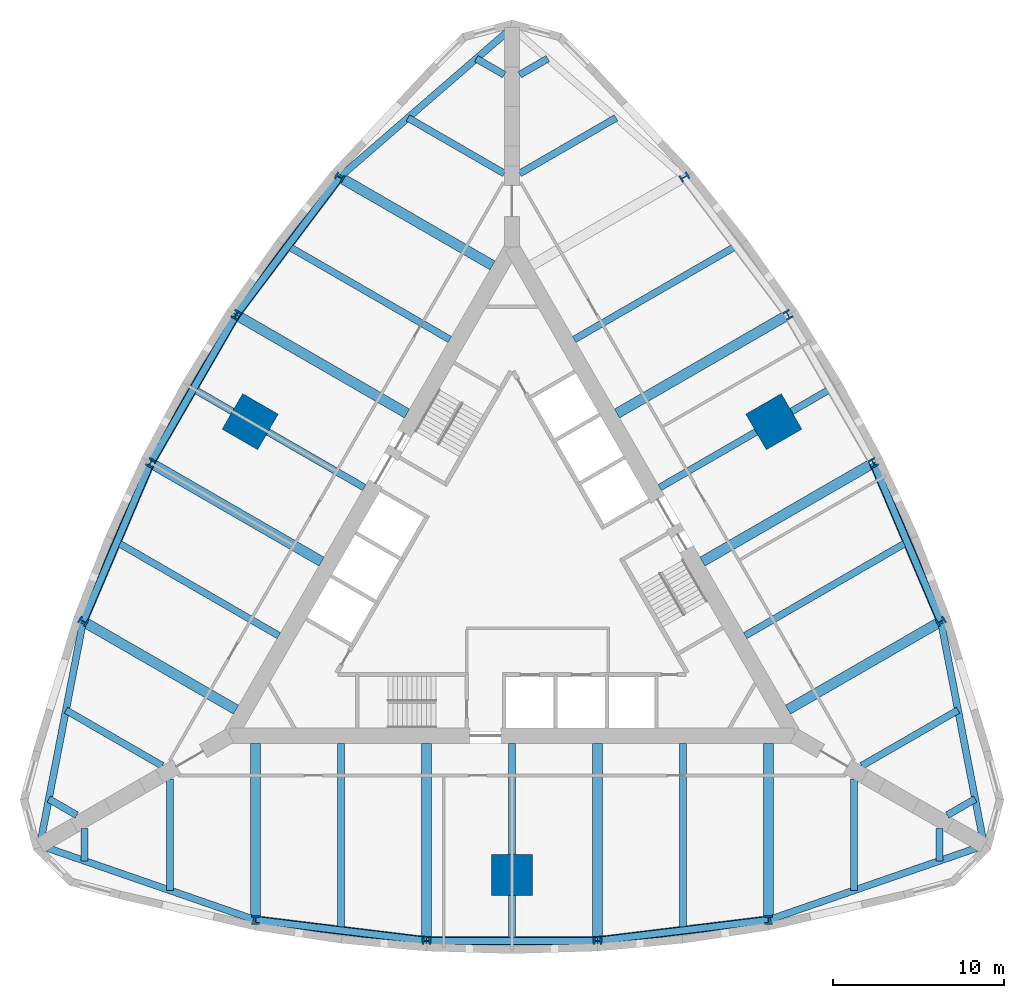
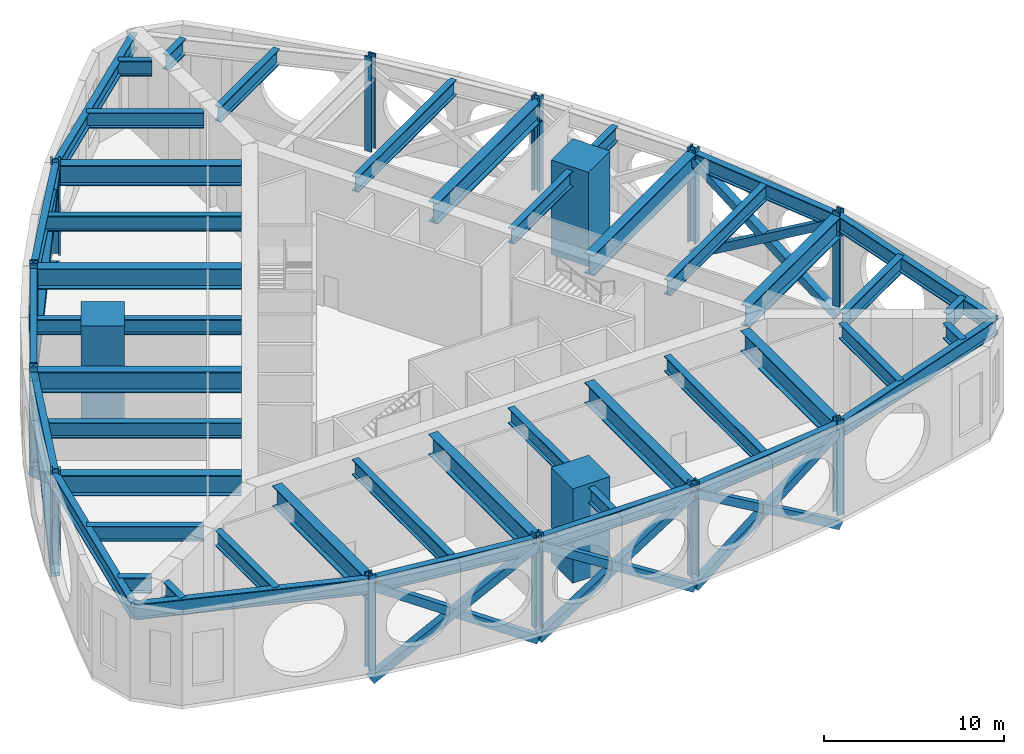
# One storey, part 1 of 7: 44 beams, 15 columns, 14 members.
"""IFC4 building model written with IfcOpenShell, lengths in metres."""

from ifc_helpers import new_model, si_unit, direction, frame, origin, origin_2d, place, context, subcontext, project, spatial, rectangle, hollow_rectangle, i_section, extrude, material, material_profile, profile_set, type_object, element, save


model = new_model("IFC4")

# Units and contexts
model_context = context("Model", 3, precision=1e-05, world=origin(), true_north=direction((0.0, 1.0)))
body_context = subcontext(model_context, "Body", "Model", "MODEL_VIEW")
ifc_project = project(units=[si_unit("LENGTHUNIT", "METRE"), si_unit("AREAUNIT", "SQUARE_METRE"), si_unit("VOLUMEUNIT", "CUBIC_METRE"), si_unit("PLANEANGLEUNIT", "RADIAN"), si_unit("MASSUNIT", "GRAM", prefix="KILO")], contexts=[model_context])

# Site, building, storey
site_placement = place(None, origin())
site = spatial("IfcSite", under=ifc_project, at=site_placement, CompositionType="ELEMENT")
building_placement = place(site_placement, origin())
building = spatial("IfcBuilding", under=site, at=building_placement, Name="Trikona Tower", CompositionType="ELEMENT")
storey_placement = place(building_placement, frame((0.0, 0.0, 103.300048828125)))
storey = spatial("IfcBuildingStorey", under=building, at=storey_placement, Name="L27", CompositionType="ELEMENT", Elevation=103.300048828125)

# Columns
ifc_material_1 = material(Name="Concrete f'c 10000 psi with encased steel section", Category="concrete")
ifc_material_profile_1 = material_profile(ifc_material_1, rectangle(XDim=2.39990234375, YDim=2.39990234375, at=origin_2d()), Name="MC2400")
ifc_profile_set_1 = profile_set([ifc_material_profile_1], Name="Concrete f'c 10000 psi with encased steel section")
column_type_1 = type_object("IfcColumnType", Name="Composite mega column 2400x2400", PredefinedType="COLUMN", material=ifc_profile_set_1)
for number, where, z_axis, x_axis, name in (
    (1, (0.0, -17.680419921875, 0.0), (0.0, 0.0, 1.0), (0.0, -1.0, 0.0), "Mega column MC1"),
    (2, (15.311767578125, 8.84033203125, 0.0), (0.0, 0.0, 1.0), (0.866025403784, 0.5, 0.0), "Mega column MC2"),
    (3, (-15.311767578125, 8.84033203125, 0.0), (0.0, 0.0, 1.0), (-0.866025403784, 0.5, 0.0), "Mega column MC3"),
):
    element("IfcColumn", number, at=place(storey_placement, frame(where, z_axis=z_axis, x_axis=x_axis)), inside=storey, type_object=column_type_1, Name=name, PredefinedType="COLUMN", context=body_context, shape_type="SweptSolid", body=[
        extrude(rectangle(XDim=2.39990234375, YDim=2.39990234375, at=origin_2d()), origin(), (0.0, 0.0, 1.0), 6.39990234375),
    ])
ifc_material_2 = material(Name="Steel ASTM A992 Grade 50", Category="steel")
ifc_material_profile_2 = material_profile(ifc_material_2, i_section(OverallWidth=0.44189453125, OverallDepth=0.53076171875, WebThickness=0.06591796875, FlangeThickness=0.105712890625, at=origin_2d()), Name="W14X605")
ifc_profile_set_2 = profile_set([ifc_material_profile_2], Name="Steel ASTM A992 Grade 50")
column_type_2 = type_object("IfcColumnType", Name="Steel column W14x605", PredefinedType="COLUMN", material=ifc_profile_set_2)
for number, where, z_axis, x_axis, name in (
    (4, (-15.0, -20.302978515625, 0.0), (0.0, 0.0, 1.0), (1.0, 0.0, 0.0), "Column F0m15"),
    (5, (-5.0, -21.5205078125, 0.0), (0.0, 0.0, 1.0), (0.0, -1.0, 0.0), "Column F0m5"),
    (6, (5.0, -21.5205078125, 0.0), (0.0, 0.0, 1.0), (0.0, -1.0, 0.0), "Column F0p5"),
    (7, (15.0, -20.302978515625, 0.0), (0.0, 0.0, 1.0), (1.0, 0.0, 0.0), "Column F0p15"),
    (8, (25.0830078125, -2.8388671875, 0.0), (0.0, 0.0, 1.0), (-0.5, 0.866025403784, 0.0), "Column F1m15"),
    (9, (21.13720703125, 6.43017578125, 0.0), (0.0, 0.0, 1.0), (0.866025403784, 0.5, 0.0), "Column F1m5"),
    (10, (16.13720703125, 15.09033203125, 0.0), (0.0, 0.0, 1.0), (0.866025403784, 0.5, 0.0), "Column F1p5"),
    (11, (10.0830078125, 23.141845703125, 0.0), (0.0, 0.0, 1.0), (-0.5, 0.866025403784, 0.0), "Column F1p15"),
    (12, (-10.0830078125, 23.141845703125, 0.0), (0.0, 0.0, 1.0), (-0.5, -0.866025403784, 0.0), "Column F2m15"),
    (13, (-16.13720703125, 15.09033203125, 0.0), (0.0, 0.0, 1.0), (-0.866025403784, 0.5, 0.0), "Column F2m5"),
    (14, (-21.13720703125, 6.43017578125, 0.0), (0.0, 0.0, 1.0), (-0.866025403784, 0.5, 0.0), "Column F2p5"),
    (15, (-25.0830078125, -2.8388671875, 0.0), (0.0, 0.0, 1.0), (-0.5, -0.866025403784, 0.0), "Column F2p15"),
):
    element("IfcColumn", number, at=place(storey_placement, frame(where, z_axis=z_axis, x_axis=x_axis)), inside=storey, type_object=column_type_2, Name=name, PredefinedType="COLUMN", context=body_context, shape_type="SweptSolid", body=[
        extrude(i_section(OverallWidth=0.44189453125, OverallDepth=0.53076171875, WebThickness=0.06591796875, FlangeThickness=0.105712890625, at=origin_2d()), origin(), (0.0, 0.0, 1.0), 6.39990234375),
    ])

# Members
ifc_material_3 = material(Name="Steel ASTM A500 Grade C", Category="steel")
ifc_material_profile_3 = material_profile(ifc_material_3, hollow_rectangle(XDim=0.508056640625, YDim=0.508056640625, WallThickness=0.0146484375, at=origin_2d()), Name="HSS20X20X5/8")
ifc_profile_set_3 = profile_set([ifc_material_profile_3], Name="Steel ASTM A500 Grade C")
member_type = type_object("IfcMemberType", Name="Belt truss diagonal HSS20x20x5/8", PredefinedType="BRACE", material=ifc_profile_set_3)
for number, where, z_axis, x_axis, name in (
    (16, (-15.0, -20.302978515625, -0.770751953125), (0.837880915382, -0.102014456177, 0.536235603414), (0.120860421207, 0.99266951126, 0.0), "Belt truss diagonal L27 F1-2a"),
    (17, (-5.0, -21.5205078125, -0.770751953125), (-0.837880915382, 0.102014456177, 0.536235603414), (-0.120860421207, -0.99266951126, 0.0), "Belt truss diagonal L27 F1-2b"),
):
    element("IfcMember", number, at=place(storey_placement, frame(where, z_axis=z_axis, x_axis=x_axis)), inside=storey, type_object=member_type, Name=name, PredefinedType="BRACE", context=body_context, shape_type="SweptSolid", body=[
        extrude(hollow_rectangle(XDim=0.508056640625, YDim=0.508056640625, WallThickness=0.0146484375, at=origin_2d()), origin(), (0.0, 0.0, 1.0), 11.934814453125),
    ])
for number, where, z_axis, x_axis, name in (
    (18, (-5.0, -21.5205078125, -0.770751953125), (0.84227513519, 0.0, 0.539047861178), (0.0, 1.0, 0.0), "Belt truss diagonal L27 F1-3a"),
    (19, (5.0, -21.5205078125, -0.770751953125), (-0.84227513519, 0.0, 0.539047861178), (0.0, -1.0, 0.0), "Belt truss diagonal L27 F1-3b"),
):
    element("IfcMember", number, at=place(storey_placement, frame(where, z_axis=z_axis, x_axis=x_axis)), inside=storey, type_object=member_type, Name=name, PredefinedType="BRACE", context=body_context, shape_type="SweptSolid", body=[
        extrude(hollow_rectangle(XDim=0.508056640625, YDim=0.508056640625, WallThickness=0.0146484375, at=origin_2d()), origin(), (0.0, 0.0, 1.0), 11.87255859375),
    ])
for number, where, z_axis, x_axis, name in (
    (20, (5.0, -21.5205078125, -0.770751953125), (0.837880915382, 0.102014456177, 0.536235603414), (-0.120860421207, 0.99266951126, 0.0), "Belt truss diagonal L27 F1-4a"),
    (21, (15.0, -20.302978515625, -0.770751953125), (-0.837880915382, -0.102014456177, 0.536235603414), (0.120860421207, -0.99266951126, 0.0), "Belt truss diagonal L27 F1-4b"),
):
    element("IfcMember", number, at=place(storey_placement, frame(where, z_axis=z_axis, x_axis=x_axis)), inside=storey, type_object=member_type, Name=name, PredefinedType="BRACE", context=body_context, shape_type="SweptSolid", body=[
        extrude(hollow_rectangle(XDim=0.508056640625, YDim=0.508056640625, WallThickness=0.0146484375, at=origin_2d()), origin(), (0.0, 0.0, 1.0), 11.934814453125),
    ])
for number, where, z_axis, x_axis, name in (
    (22, (25.0830078125, -2.8388671875, -0.770751953125), (-0.330608652401, 0.776629631051, 0.536231605868), (-0.920100007715, -0.391683514847, 0.0), "Belt truss diagonal L27 F2-2a"),
    (23, (21.13720703125, 6.43017578125, -0.770751953125), (0.330608652401, -0.776629631051, 0.536231605868), (0.920100007715, 0.391683514847, 0.0), "Belt truss diagonal L27 F2-2b"),
):
    element("IfcMember", number, at=place(storey_placement, frame(where, z_axis=z_axis, x_axis=x_axis)), inside=storey, type_object=member_type, Name=name, PredefinedType="BRACE", context=body_context, shape_type="SweptSolid", body=[
        extrude(hollow_rectangle(XDim=0.508056640625, YDim=0.508056640625, WallThickness=0.0146484375, at=origin_2d()), origin(), (0.0, 0.0, 1.0), 11.93505859375),
    ])
for number, where, z_axis, x_axis, name in (
    (24, (-10.0830078125, 23.141845703125, -0.770751953125), (-0.507273674807, -0.674626119907, 0.536239701241), (0.799257787042, -0.600988344191, 0.0), "Belt truss diagonal L27 F3-2a"),
    (25, (-16.13720703125, 15.09033203125, -0.770751953125), (0.507273674807, 0.674626119907, 0.536239701241), (-0.799257787042, 0.600988344191, 0.0), "Belt truss diagonal L27 F3-2b"),
):
    element("IfcMember", number, at=place(storey_placement, frame(where, z_axis=z_axis, x_axis=x_axis)), inside=storey, type_object=member_type, Name=name, PredefinedType="BRACE", context=body_context, shape_type="SweptSolid", body=[
        extrude(hollow_rectangle(XDim=0.508056640625, YDim=0.508056640625, WallThickness=0.0146484375, at=origin_2d()), origin(), (0.0, 0.0, 1.0), 11.934814453125),
    ])
for number, where, z_axis, x_axis, name in (
    (26, (-16.13720703125, 15.09033203125, -0.770751953125), (-0.42114009776, -0.729427809949, 0.539051099741), (0.866022959057, -0.500004234368, 0.0), "Belt truss diagonal L27 F3-3a"),
    (27, (-21.13720703125, 6.43017578125, -0.770751953125), (0.42114009776, 0.729427809949, 0.539051099741), (-0.866022959057, 0.500004234368, 0.0), "Belt truss diagonal L27 F3-3b"),
):
    element("IfcMember", number, at=place(storey_placement, frame(where, z_axis=z_axis, x_axis=x_axis)), inside=storey, type_object=member_type, Name=name, PredefinedType="BRACE", context=body_context, shape_type="SweptSolid", body=[
        extrude(hollow_rectangle(XDim=0.508056640625, YDim=0.508056640625, WallThickness=0.0146484375, at=origin_2d()), origin(), (0.0, 0.0, 1.0), 11.87255859375),
    ])
for number, where, z_axis, x_axis, name in (
    (28, (-21.13720703125, 6.43017578125, -0.770751953125), (-0.330608652401, -0.776629631051, 0.536231605868), (0.920100007715, -0.391683514847, 0.0), "Belt truss diagonal L27 F3-4a"),
    (29, (-25.0830078125, -2.8388671875, -0.770751953125), (0.330608652401, 0.776629631051, 0.536231605868), (-0.920100007715, 0.391683514847, 0.0), "Belt truss diagonal L27 F3-4b"),
):
    element("IfcMember", number, at=place(storey_placement, frame(where, z_axis=z_axis, x_axis=x_axis)), inside=storey, type_object=member_type, Name=name, PredefinedType="BRACE", context=body_context, shape_type="SweptSolid", body=[
        extrude(hollow_rectangle(XDim=0.508056640625, YDim=0.508056640625, WallThickness=0.0146484375, at=origin_2d()), origin(), (0.0, 0.0, 1.0), 11.93505859375),
    ])

# Beams
ifc_material_4 = material(Name="Steel ASTM A992 Grade 50", Category="steel")
ifc_material_profile_4 = material_profile(ifc_material_4, i_section(OverallWidth=0.60009765625, OverallDepth=1.39990234375, WebThickness=0.044921875, FlangeThickness=0.06005859375, at=origin_2d()), Name="PG1400X600")
ifc_profile_set_4 = profile_set([ifc_material_profile_4], Name="Steel ASTM A992 Grade 50")
beam_type_1 = type_object("IfcBeamType", Name="Steel beam PG1400x600 (transfer)", PredefinedType="USERDEFINED", material=ifc_profile_set_4)
beam_1_placement = place(storey_placement, frame((-15.0, -9.976318359375, 5.449951171875), z_axis=(0.0, -1.0, 0.0), x_axis=(1.0, 0.0, 0.0)))
element("IfcBeam", 30, at=beam_1_placement, inside=storey, type_object=beam_type_1, Name="Transfer girder L28 F1 u-15", ObjectType="TRANSFER GIRDER", PredefinedType="USERDEFINED", context=body_context, shape_type="SweptSolid", body=[
    extrude(i_section(OverallWidth=0.60009765625, OverallDepth=1.39990234375, WebThickness=0.044921875, FlangeThickness=0.06005859375, at=origin_2d()), origin(), (0.0, 0.0, 1.0), 10.32666015625),
])
for number, where, z_axis, x_axis, name in (
    (31, (-5.0, -9.976318359375, 5.449951171875), (0.0, -1.0, 0.0), (1.0, 0.0, 0.0), "Transfer girder L28 F1 u-5"),
    (32, (5.0, -9.976318359375, 5.449951171875), (0.0, -1.0, 0.0), (1.0, 0.0, 0.0), "Transfer girder L28 F1 u5"),
):
    element("IfcBeam", number, at=place(storey_placement, frame(where, z_axis=z_axis, x_axis=x_axis)), inside=storey, type_object=beam_type_1, Name=name, ObjectType="TRANSFER GIRDER", PredefinedType="USERDEFINED", context=body_context, shape_type="SweptSolid", body=[
        extrude(i_section(OverallWidth=0.60009765625, OverallDepth=1.39990234375, WebThickness=0.044921875, FlangeThickness=0.06005859375, at=origin_2d()), origin(), (0.0, 0.0, 1.0), 11.544189453125),
    ])
beam_2_placement = place(storey_placement, frame((15.0, -9.976318359375, 5.449951171875), z_axis=(0.0, -1.0, 0.0), x_axis=(1.0, 0.0, 0.0)))
element("IfcBeam", 33, at=beam_2_placement, inside=storey, type_object=beam_type_1, Name="Transfer girder L28 F1 u15", ObjectType="TRANSFER GIRDER", PredefinedType="USERDEFINED", context=body_context, shape_type="SweptSolid", body=[
    extrude(i_section(OverallWidth=0.60009765625, OverallDepth=1.39990234375, WebThickness=0.044921875, FlangeThickness=0.06005859375, at=origin_2d()), origin(), (0.0, 0.0, 1.0), 10.32666015625),
])
beam_3_placement = place(storey_placement, frame((16.1396484375, -8.002197265625, 5.449951171875), z_axis=(0.866030471684, 0.499991222037, 0.0), x_axis=(-0.499991222037, 0.866030471684, 0.0)))
element("IfcBeam", 34, at=beam_3_placement, inside=storey, type_object=beam_type_1, Name="Transfer girder L28 F2 u-15", ObjectType="TRANSFER GIRDER", PredefinedType="USERDEFINED", context=body_context, shape_type="SweptSolid", body=[
    extrude(i_section(OverallWidth=0.60009765625, OverallDepth=1.39990234375, WebThickness=0.044921875, FlangeThickness=0.06005859375, at=origin_2d()), origin(), (0.0, 0.0, 1.0), 10.326904296875),
])
for number, where, z_axis, x_axis, name in (
    (35, (11.1396484375, 0.657958984375, 5.449951171875), (0.866020765707, 0.500008033299, 0.0), (-0.500008033299, 0.866020765707, 0.0), "Transfer girder L28 F2 u-5"),
    (36, (6.1396484375, 9.318359375, 5.449951171875), (0.866029923217, 0.499992172032, 0.0), (-0.499992172032, 0.866029923217, 0.0), "Transfer girder L28 F2 u5"),
):
    element("IfcBeam", number, at=place(storey_placement, frame(where, z_axis=z_axis, x_axis=x_axis)), inside=storey, type_object=beam_type_1, Name=name, ObjectType="TRANSFER GIRDER", PredefinedType="USERDEFINED", context=body_context, shape_type="SweptSolid", body=[
        extrude(i_section(OverallWidth=0.60009765625, OverallDepth=1.39990234375, WebThickness=0.044921875, FlangeThickness=0.06005859375, at=origin_2d()), origin(), (0.0, 0.0, 1.0), 11.544189453125),
    ])
beam_4_placement = place(storey_placement, frame((-1.1396484375, 17.978515625, 5.449951171875), z_axis=(-0.866030471684, 0.499991222037, 0.0), x_axis=(-0.499991222037, -0.866030471684, 0.0)))
element("IfcBeam", 37, at=beam_4_placement, inside=storey, type_object=beam_type_1, Name="Transfer girder L28 F3 u-15", ObjectType="TRANSFER GIRDER", PredefinedType="USERDEFINED", context=body_context, shape_type="SweptSolid", body=[
    extrude(i_section(OverallWidth=0.60009765625, OverallDepth=1.39990234375, WebThickness=0.044921875, FlangeThickness=0.06005859375, at=origin_2d()), origin(), (0.0, 0.0, 1.0), 10.326904296875),
])
for number, where, z_axis, x_axis, name in (
    (38, (-6.1396484375, 9.318359375, 5.449951171875), (-0.866029923217, 0.499992172032, 0.0), (-0.499992172032, -0.866029923217, 0.0), "Transfer girder L28 F3 u-5"),
    (39, (-11.1396484375, 0.657958984375, 5.449951171875), (-0.866020765707, 0.500008033299, 0.0), (-0.500008033299, -0.866020765707, 0.0), "Transfer girder L28 F3 u5"),
):
    element("IfcBeam", number, at=place(storey_placement, frame(where, z_axis=z_axis, x_axis=x_axis)), inside=storey, type_object=beam_type_1, Name=name, ObjectType="TRANSFER GIRDER", PredefinedType="USERDEFINED", context=body_context, shape_type="SweptSolid", body=[
        extrude(i_section(OverallWidth=0.60009765625, OverallDepth=1.39990234375, WebThickness=0.044921875, FlangeThickness=0.06005859375, at=origin_2d()), origin(), (0.0, 0.0, 1.0), 11.544189453125),
    ])
beam_5_placement = place(storey_placement, frame((-16.1396484375, -8.002197265625, 5.449951171875), z_axis=(-0.866030471684, 0.499991222037, 0.0), x_axis=(-0.499991222037, -0.866030471684, 0.0)))
element("IfcBeam", 40, at=beam_5_placement, inside=storey, type_object=beam_type_1, Name="Transfer girder L28 F3 u15", ObjectType="TRANSFER GIRDER", PredefinedType="USERDEFINED", context=body_context, shape_type="SweptSolid", body=[
    extrude(i_section(OverallWidth=0.60009765625, OverallDepth=1.39990234375, WebThickness=0.044921875, FlangeThickness=0.06005859375, at=origin_2d()), origin(), (0.0, 0.0, 1.0), 10.326904296875),
])
ifc_material_5 = material(Name="Steel ASTM A992 Grade 50", Category="steel")
ifc_material_profile_5 = material_profile(ifc_material_5, i_section(OverallWidth=0.408935546875, OverallDepth=1.04150390625, WebThickness=0.031005859375, FlangeThickness=0.055908203125, at=origin_2d()), Name="W40X397")
ifc_profile_set_5 = profile_set([ifc_material_profile_5], Name="Steel ASTM A992 Grade 50")
beam_type_2 = type_object("IfcBeamType", Name="Steel beam W40x397 (plant spandrel)", PredefinedType="SPANDREL", material=ifc_profile_set_5)
beam_6_placement = place(storey_placement, frame((-27.6103515625, -15.94091796875, 5.629150390625), z_axis=(0.945056965739, -0.326905692071, 0.0), x_axis=(0.326905692071, 0.945056965739, 0.0)))
element("IfcBeam", 41, at=beam_6_placement, inside=storey, type_object=beam_type_2, Name="Spandrel beam L28 F1-1", PredefinedType="SPANDREL", context=body_context, shape_type="SweptSolid", body=[
    extrude(i_section(OverallWidth=0.408935546875, OverallDepth=1.04150390625, WebThickness=0.031005859375, FlangeThickness=0.055908203125, at=origin_2d()), origin(), (0.0, 0.0, 1.0), 13.343505859375),
])
beam_7_placement = place(storey_placement, frame((-15.0, -20.302978515625, 5.629150390625), z_axis=(0.99266951126, -0.120860421207, 0.0), x_axis=(0.120860421207, 0.99266951126, 0.0)))
element("IfcBeam", 42, at=beam_7_placement, inside=storey, type_object=beam_type_2, Name="Spandrel beam L28 F1-2", PredefinedType="SPANDREL", context=body_context, shape_type="SweptSolid", body=[
    extrude(i_section(OverallWidth=0.408935546875, OverallDepth=1.04150390625, WebThickness=0.031005859375, FlangeThickness=0.055908203125, at=origin_2d()), origin(), (0.0, 0.0, 1.0), 10.07373046875),
])
beam_8_placement = place(storey_placement, frame((-5.0, -21.5205078125, 5.629150390625), z_axis=(1.0, 0.0, 0.0), x_axis=(0.0, 1.0, 0.0)))
element("IfcBeam", 43, at=beam_8_placement, inside=storey, type_object=beam_type_2, Name="Spandrel beam L28 F1-3", PredefinedType="SPANDREL", context=body_context, shape_type="SweptSolid", body=[
    extrude(i_section(OverallWidth=0.408935546875, OverallDepth=1.04150390625, WebThickness=0.031005859375, FlangeThickness=0.055908203125, at=origin_2d()), origin(), (0.0, 0.0, 1.0), 10.0),
])
beam_9_placement = place(storey_placement, frame((5.0, -21.5205078125, 5.629150390625), z_axis=(0.99266951126, 0.120860421207, 0.0), x_axis=(-0.120860421207, 0.99266951126, 0.0)))
element("IfcBeam", 44, at=beam_9_placement, inside=storey, type_object=beam_type_2, Name="Spandrel beam L28 F1-4", PredefinedType="SPANDREL", context=body_context, shape_type="SweptSolid", body=[
    extrude(i_section(OverallWidth=0.408935546875, OverallDepth=1.04150390625, WebThickness=0.031005859375, FlangeThickness=0.055908203125, at=origin_2d()), origin(), (0.0, 0.0, 1.0), 10.07373046875),
])
for number, where, z_axis, x_axis, name in (
    (45, (15.0, -20.302978515625, 5.629150390625), (0.945056965739, 0.326905692071, 0.0), (-0.326905692071, 0.945056965739, 0.0), "Spandrel beam L28 F1-5"),
    (46, (27.6103515625, -15.94091796875, 5.629150390625), (-0.189405184036, 0.981899015307, 0.0), (-0.981899015307, -0.189405184036, 0.0), "Spandrel beam L28 F2-1"),
):
    element("IfcBeam", number, at=place(storey_placement, frame(where, z_axis=z_axis, x_axis=x_axis)), inside=storey, type_object=beam_type_2, Name=name, PredefinedType="SPANDREL", context=body_context, shape_type="SweptSolid", body=[
        extrude(i_section(OverallWidth=0.408935546875, OverallDepth=1.04150390625, WebThickness=0.031005859375, FlangeThickness=0.055908203125, at=origin_2d()), origin(), (0.0, 0.0, 1.0), 13.343505859375),
    ])
beam_10_placement = place(storey_placement, frame((25.0830078125, -2.8388671875, 5.629150390625), z_axis=(-0.391683514847, 0.920100007715, 0.0), x_axis=(-0.920100007715, -0.391683514847, 0.0)))
element("IfcBeam", 47, at=beam_10_placement, inside=storey, type_object=beam_type_2, Name="Spandrel beam L28 F2-2", PredefinedType="SPANDREL", context=body_context, shape_type="SweptSolid", body=[
    extrude(i_section(OverallWidth=0.408935546875, OverallDepth=1.04150390625, WebThickness=0.031005859375, FlangeThickness=0.055908203125, at=origin_2d()), origin(), (0.0, 0.0, 1.0), 10.073974609375),
])
beam_11_placement = place(storey_placement, frame((0.0, 31.881591796875, 5.629150390625), z_axis=(-0.755646822726, -0.654979296851, 0.0), x_axis=(0.654979296851, -0.755646822726, 0.0)))
element("IfcBeam", 48, at=beam_11_placement, inside=storey, type_object=beam_type_2, Name="Spandrel beam L28 F3-1", PredefinedType="SPANDREL", context=body_context, shape_type="SweptSolid", body=[
    extrude(i_section(OverallWidth=0.408935546875, OverallDepth=1.04150390625, WebThickness=0.031005859375, FlangeThickness=0.055908203125, at=origin_2d()), origin(), (0.0, 0.0, 1.0), 13.343505859375),
])
beam_12_placement = place(storey_placement, frame((-10.0830078125, 23.141845703125, 5.629150390625), z_axis=(-0.600988344191, -0.799257787042, 0.0), x_axis=(0.799257787042, -0.600988344191, 0.0)))
element("IfcBeam", 49, at=beam_12_placement, inside=storey, type_object=beam_type_2, Name="Spandrel beam L28 F3-2", PredefinedType="SPANDREL", context=body_context, shape_type="SweptSolid", body=[
    extrude(i_section(OverallWidth=0.408935546875, OverallDepth=1.04150390625, WebThickness=0.031005859375, FlangeThickness=0.055908203125, at=origin_2d()), origin(), (0.0, 0.0, 1.0), 10.07373046875),
])
beam_13_placement = place(storey_placement, frame((-16.13720703125, 15.09033203125, 5.629150390625), z_axis=(-0.500004234368, -0.866022959057, 0.0), x_axis=(0.866022959057, -0.500004234368, 0.0)))
element("IfcBeam", 50, at=beam_13_placement, inside=storey, type_object=beam_type_2, Name="Spandrel beam L28 F3-3", PredefinedType="SPANDREL", context=body_context, shape_type="SweptSolid", body=[
    extrude(i_section(OverallWidth=0.408935546875, OverallDepth=1.04150390625, WebThickness=0.031005859375, FlangeThickness=0.055908203125, at=origin_2d()), origin(), (0.0, 0.0, 1.0), 10.0),
])
beam_14_placement = place(storey_placement, frame((-21.13720703125, 6.43017578125, 5.629150390625), z_axis=(-0.391683514847, -0.920100007715, 0.0), x_axis=(0.920100007715, -0.391683514847, 0.0)))
element("IfcBeam", 51, at=beam_14_placement, inside=storey, type_object=beam_type_2, Name="Spandrel beam L28 F3-4", PredefinedType="SPANDREL", context=body_context, shape_type="SweptSolid", body=[
    extrude(i_section(OverallWidth=0.408935546875, OverallDepth=1.04150390625, WebThickness=0.031005859375, FlangeThickness=0.055908203125, at=origin_2d()), origin(), (0.0, 0.0, 1.0), 10.073974609375),
])
beam_15_placement = place(storey_placement, frame((-25.0830078125, -2.8388671875, 5.629150390625), z_axis=(-0.189405184036, -0.981899015307, 0.0), x_axis=(0.981899015307, -0.189405184036, 0.0)))
element("IfcBeam", 52, at=beam_15_placement, inside=storey, type_object=beam_type_2, Name="Spandrel beam L28 F3-5", PredefinedType="SPANDREL", context=body_context, shape_type="SweptSolid", body=[
    extrude(i_section(OverallWidth=0.408935546875, OverallDepth=1.04150390625, WebThickness=0.031005859375, FlangeThickness=0.055908203125, at=origin_2d()), origin(), (0.0, 0.0, 1.0), 13.343505859375),
])
ifc_material_6 = material(Name="Steel ASTM A992 Grade 50", Category="steel")
ifc_material_profile_6 = material_profile(ifc_material_6, i_section(OverallWidth=0.408935546875, OverallDepth=1.04150390625, WebThickness=0.031005859375, FlangeThickness=0.055908203125, at=origin_2d()), Name="W40X397")
ifc_profile_set_6 = profile_set([ifc_material_profile_6], Name="Steel ASTM A992 Grade 50")
beam_type_3 = type_object("IfcBeamType", Name="Steel beam W40x397 (plant)", PredefinedType="BEAM", material=ifc_profile_set_6)
beam_16_placement = place(storey_placement, frame((-10.0, -9.976318359375, 5.629150390625), z_axis=(0.0, -1.0, 0.0), x_axis=(1.0, 0.0, 0.0)))
element("IfcBeam", 53, at=beam_16_placement, inside=storey, type_object=beam_type_3, Name="Floor beam L28 F1 u-10", PredefinedType="BEAM", context=body_context, shape_type="SweptSolid", body=[
    extrude(i_section(OverallWidth=0.408935546875, OverallDepth=1.04150390625, WebThickness=0.031005859375, FlangeThickness=0.055908203125, at=origin_2d()), origin(), (0.0, 0.0, 1.0), 10.935302734375),
])
beam_17_placement = place(storey_placement, frame((0.0, -9.976318359375, 5.629150390625), z_axis=(0.0, -1.0, 0.0), x_axis=(1.0, 0.0, 0.0)))
element("IfcBeam", 54, at=beam_17_placement, inside=storey, type_object=beam_type_3, Name="Floor beam L28 F1 u0", PredefinedType="BEAM", context=body_context, shape_type="SweptSolid", body=[
    extrude(i_section(OverallWidth=0.408935546875, OverallDepth=1.04150390625, WebThickness=0.031005859375, FlangeThickness=0.055908203125, at=origin_2d()), origin(), (0.0, 0.0, 1.0), 11.544189453125),
])
beam_18_placement = place(storey_placement, frame((10.0, -9.976318359375, 5.629150390625), z_axis=(0.0, -1.0, 0.0), x_axis=(1.0, 0.0, 0.0)))
element("IfcBeam", 55, at=beam_18_placement, inside=storey, type_object=beam_type_3, Name="Floor beam L28 F1 u10", PredefinedType="BEAM", context=body_context, shape_type="SweptSolid", body=[
    extrude(i_section(OverallWidth=0.408935546875, OverallDepth=1.04150390625, WebThickness=0.031005859375, FlangeThickness=0.055908203125, at=origin_2d()), origin(), (0.0, 0.0, 1.0), 10.935302734375),
])
beam_19_placement = place(storey_placement, frame((13.6396484375, -3.672119140625, 5.629150390625), z_axis=(0.866025348605, 0.500000095573, 0.0), x_axis=(-0.500000095573, 0.866025348605, 0.0)))
element("IfcBeam", 56, at=beam_19_placement, inside=storey, type_object=beam_type_3, Name="Floor beam L28 F2 u-10", PredefinedType="BEAM", context=body_context, shape_type="SweptSolid", body=[
    extrude(i_section(OverallWidth=0.408935546875, OverallDepth=1.04150390625, WebThickness=0.031005859375, FlangeThickness=0.055908203125, at=origin_2d()), origin(), (0.0, 0.0, 1.0), 10.935546875),
])
beam_20_placement = place(storey_placement, frame((8.6396484375, 4.988037109375, 5.629150390625), z_axis=(0.866020765707, 0.500008033299, 0.0), x_axis=(-0.500008033299, 0.866020765707, 0.0)))
element("IfcBeam", 57, at=beam_20_placement, inside=storey, type_object=beam_type_3, Name="Floor beam L28 F2 u0", PredefinedType="BEAM", context=body_context, shape_type="SweptSolid", body=[
    extrude(i_section(OverallWidth=0.408935546875, OverallDepth=1.04150390625, WebThickness=0.031005859375, FlangeThickness=0.055908203125, at=origin_2d()), origin(), (0.0, 0.0, 1.0), 11.544189453125),
])
for number, where, z_axis, x_axis, name in (
    (58, (3.6396484375, 13.6484375, 5.629150390625), (0.866025348605, 0.500000095573, 0.0), (-0.500000095573, 0.866025348605, 0.0), "Floor beam L28 F2 u10"),
    (59, (-3.6396484375, 13.6484375, 5.629150390625), (-0.866025348605, 0.500000095573, 0.0), (-0.500000095573, -0.866025348605, 0.0), "Floor beam L28 F3 u-10"),
):
    element("IfcBeam", number, at=place(storey_placement, frame(where, z_axis=z_axis, x_axis=x_axis)), inside=storey, type_object=beam_type_3, Name=name, PredefinedType="BEAM", context=body_context, shape_type="SweptSolid", body=[
        extrude(i_section(OverallWidth=0.408935546875, OverallDepth=1.04150390625, WebThickness=0.031005859375, FlangeThickness=0.055908203125, at=origin_2d()), origin(), (0.0, 0.0, 1.0), 10.935546875),
    ])
beam_21_placement = place(storey_placement, frame((-8.6396484375, 4.988037109375, 5.629150390625), z_axis=(-0.866020765707, 0.500008033299, 0.0), x_axis=(-0.500008033299, -0.866020765707, 0.0)))
element("IfcBeam", 60, at=beam_21_placement, inside=storey, type_object=beam_type_3, Name="Floor beam L28 F3 u0", PredefinedType="BEAM", context=body_context, shape_type="SweptSolid", body=[
    extrude(i_section(OverallWidth=0.408935546875, OverallDepth=1.04150390625, WebThickness=0.031005859375, FlangeThickness=0.055908203125, at=origin_2d()), origin(), (0.0, 0.0, 1.0), 11.544189453125),
])
beam_22_placement = place(storey_placement, frame((-13.6396484375, -3.672119140625, 5.629150390625), z_axis=(-0.866025348605, 0.500000095573, 0.0), x_axis=(-0.500000095573, -0.866025348605, 0.0)))
element("IfcBeam", 61, at=beam_22_placement, inside=storey, type_object=beam_type_3, Name="Floor beam L28 F3 u10", PredefinedType="BEAM", context=body_context, shape_type="SweptSolid", body=[
    extrude(i_section(OverallWidth=0.408935546875, OverallDepth=1.04150390625, WebThickness=0.031005859375, FlangeThickness=0.055908203125, at=origin_2d()), origin(), (0.0, 0.0, 1.0), 10.935546875),
])
ifc_material_7 = material(Name="Steel ASTM A992 Grade 50", Category="steel")
ifc_material_profile_7 = material_profile(ifc_material_7, i_section(OverallWidth=0.411376953125, OverallDepth=1.049072265625, WebThickness=0.033935546875, FlangeThickness=0.06005859375, at=origin_2d()), Name="W40X431")
ifc_profile_set_7 = profile_set([ifc_material_profile_7], Name="Steel ASTM A992 Grade 50")
beam_type_4 = type_object("IfcBeamType", Name="Steel beam W40x431 (plant wedge)", PredefinedType="BEAM", material=ifc_profile_set_7)
beam_23_placement = place(storey_placement, frame((-25.0, -14.953369140625, 5.62548828125), z_axis=(0.0, -1.0, 0.0), x_axis=(1.0, 0.0, 0.0)))
element("IfcBeam", 62, at=beam_23_placement, inside=storey, type_object=beam_type_4, Name="Floor beam L28 F1 u-25", PredefinedType="BEAM", context=body_context, shape_type="SweptSolid", body=[
    extrude(i_section(OverallWidth=0.411376953125, OverallDepth=1.049072265625, WebThickness=0.033935546875, FlangeThickness=0.06005859375, at=origin_2d()), origin(), (0.0, 0.0, 1.0), 1.890380859375),
])
for number, where, z_axis, x_axis, name in (
    (63, (-20.0, -12.066650390625, 5.62548828125), (0.0, -1.0, 0.0), (1.0, 0.0, 0.0), "Floor beam L28 F1 u-20"),
    (64, (20.0, -12.066650390625, 5.62548828125), (0.0, -1.0, 0.0), (1.0, 0.0, 0.0), "Floor beam L28 F1 u20"),
):
    element("IfcBeam", number, at=place(storey_placement, frame(where, z_axis=z_axis, x_axis=x_axis)), inside=storey, type_object=beam_type_4, Name=name, PredefinedType="BEAM", context=body_context, shape_type="SweptSolid", body=[
        extrude(i_section(OverallWidth=0.411376953125, OverallDepth=1.049072265625, WebThickness=0.033935546875, FlangeThickness=0.06005859375, at=origin_2d()), origin(), (0.0, 0.0, 1.0), 6.5068359375),
    ])
for number, where, z_axis, x_axis, name in (
    (65, (25.0, -14.953369140625, 5.62548828125), (0.0, -1.0, 0.0), (1.0, 0.0, 0.0), "Floor beam L28 F1 u25"),
    (66, (25.449951171875, -14.173828125, 5.62548828125), (0.866065156741, 0.499931139538, 0.0), (-0.499931139538, 0.866065156741, 0.0), "Floor beam L28 F2 u-25"),
):
    element("IfcBeam", number, at=place(storey_placement, frame(where, z_axis=z_axis, x_axis=x_axis)), inside=storey, type_object=beam_type_4, Name=name, PredefinedType="BEAM", context=body_context, shape_type="SweptSolid", body=[
        extrude(i_section(OverallWidth=0.411376953125, OverallDepth=1.049072265625, WebThickness=0.033935546875, FlangeThickness=0.06005859375, at=origin_2d()), origin(), (0.0, 0.0, 1.0), 1.890380859375),
    ])
for number, where, z_axis, x_axis, name in (
    (67, (20.449951171875, -11.287109375, 5.62548828125), (0.866022504693, 0.50000502134, 0.0), (-0.50000502134, 0.866022504693, 0.0), "Floor beam L28 F2 u-20"),
    (68, (0.449951171875, 23.353759765625, 5.62548828125), (0.866022504693, 0.50000502134, 0.0), (-0.50000502134, 0.866022504693, 0.0), "Floor beam L28 F2 u20"),
):
    element("IfcBeam", number, at=place(storey_placement, frame(where, z_axis=z_axis, x_axis=x_axis)), inside=storey, type_object=beam_type_4, Name=name, PredefinedType="BEAM", context=body_context, shape_type="SweptSolid", body=[
        extrude(i_section(OverallWidth=0.411376953125, OverallDepth=1.049072265625, WebThickness=0.033935546875, FlangeThickness=0.06005859375, at=origin_2d()), origin(), (0.0, 0.0, 1.0), 6.5068359375),
    ])
for number, where, z_axis, x_axis, name in (
    (69, (0.449951171875, 29.127197265625, 5.62548828125), (0.866009237431, 0.5000279999, 0.0), (-0.5000279999, 0.866009237431, 0.0), "Floor beam L28 F2 u25"),
    (70, (-0.449951171875, 29.127197265625, 5.62548828125), (-0.866009237431, 0.5000279999, 0.0), (-0.5000279999, -0.866009237431, 0.0), "Floor beam L28 F3 u-25"),
):
    element("IfcBeam", number, at=place(storey_placement, frame(where, z_axis=z_axis, x_axis=x_axis)), inside=storey, type_object=beam_type_4, Name=name, PredefinedType="BEAM", context=body_context, shape_type="SweptSolid", body=[
        extrude(i_section(OverallWidth=0.411376953125, OverallDepth=1.049072265625, WebThickness=0.033935546875, FlangeThickness=0.06005859375, at=origin_2d()), origin(), (0.0, 0.0, 1.0), 1.890625),
    ])
for number, where, z_axis, x_axis, name in (
    (71, (-0.449951171875, 23.353759765625, 5.62548828125), (-0.866022504693, 0.50000502134, 0.0), (-0.50000502134, -0.866022504693, 0.0), "Floor beam L28 F3 u-20"),
    (72, (-20.449951171875, -11.287109375, 5.62548828125), (-0.866022504693, 0.50000502134, 0.0), (-0.50000502134, -0.866022504693, 0.0), "Floor beam L28 F3 u20"),
):
    element("IfcBeam", number, at=place(storey_placement, frame(where, z_axis=z_axis, x_axis=x_axis)), inside=storey, type_object=beam_type_4, Name=name, PredefinedType="BEAM", context=body_context, shape_type="SweptSolid", body=[
        extrude(i_section(OverallWidth=0.411376953125, OverallDepth=1.049072265625, WebThickness=0.033935546875, FlangeThickness=0.06005859375, at=origin_2d()), origin(), (0.0, 0.0, 1.0), 6.5068359375),
    ])
beam_24_placement = place(storey_placement, frame((-25.449951171875, -14.173828125, 5.62548828125), z_axis=(-0.866065156741, 0.499931139538, 0.0), x_axis=(-0.499931139538, -0.866065156741, 0.0)))
element("IfcBeam", 73, at=beam_24_placement, inside=storey, type_object=beam_type_4, Name="Floor beam L28 F3 u25", PredefinedType="BEAM", context=body_context, shape_type="SweptSolid", body=[
    extrude(i_section(OverallWidth=0.411376953125, OverallDepth=1.049072265625, WebThickness=0.033935546875, FlangeThickness=0.06005859375, at=origin_2d()), origin(), (0.0, 0.0, 1.0), 1.890380859375),
])

save(model, "model.ifc")
